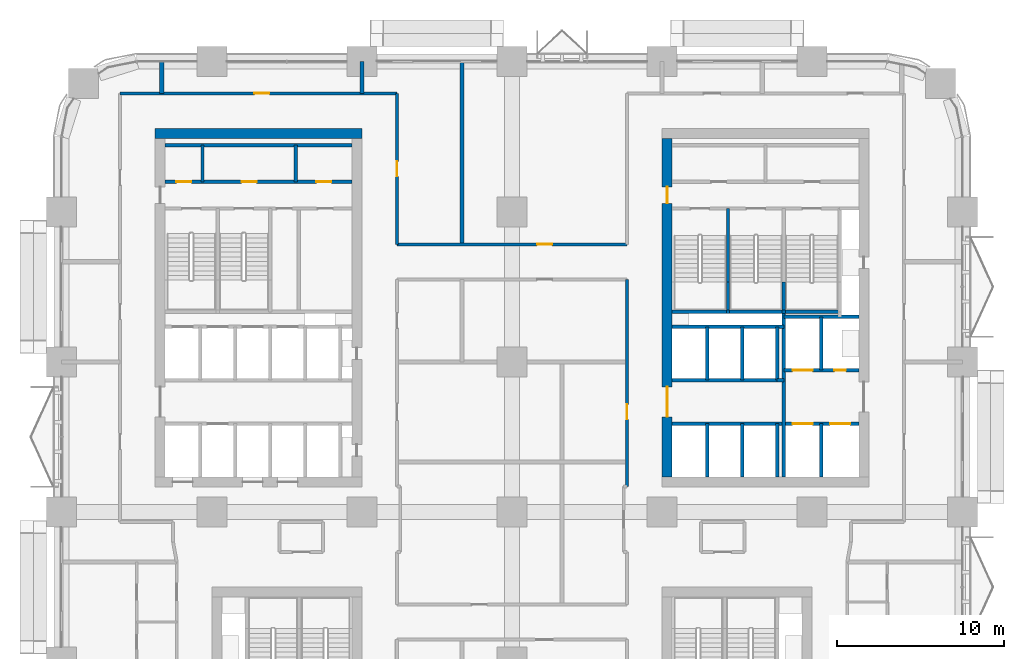
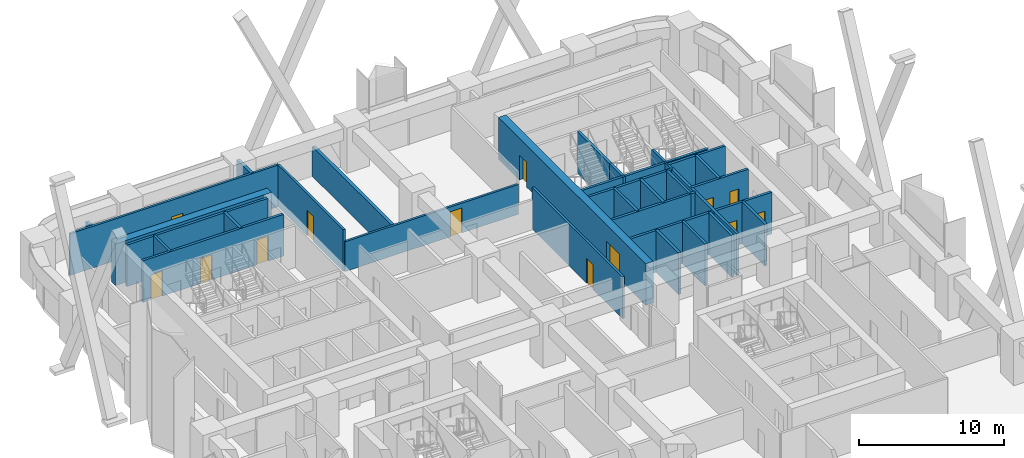
# One storey, part 18 of 23: 36 walls, 13 doors, 13 openings.
"""IFC4 building model written with IfcOpenShell, lengths in metres."""

from ifc_helpers import new_model, si_unit, direction, frame, frame_2d, origin, place, context, subcontext, project, spatial, rectangle, extrude, material, layer, layer_set, type_object, element, fill, save


model = new_model("IFC4")

# Units and contexts
model_context = context("Model", 3, precision=1e-05, world=origin(), true_north=direction((0.0, 1.0)))
body_context = subcontext(model_context, "Body", "Model", "MODEL_VIEW")
ifc_project = project(units=[si_unit("LENGTHUNIT", "METRE"), si_unit("AREAUNIT", "SQUARE_METRE"), si_unit("VOLUMEUNIT", "CUBIC_METRE"), si_unit("PLANEANGLEUNIT", "RADIAN"), si_unit("MASSUNIT", "GRAM", prefix="KILO")], contexts=[model_context])

# Site, building, storey
site_placement = place(None, origin())
site = spatial("IfcSite", under=ifc_project, at=site_placement, CompositionType="ELEMENT")
building_placement = place(site_placement, origin())
building = spatial("IfcBuilding", under=site, at=building_placement, Name="Tessera Arch", CompositionType="ELEMENT")
storey_placement = place(building_placement, frame((0.0, 0.0, 46.199951171875)))
storey = spatial("IfcBuildingStorey", under=building, at=storey_placement, Name="L09", CompositionType="ELEMENT", Elevation=46.199951171875)

# Walls
ifc_material_1 = material(Name="Gypsum board on steel stud", Category="steel")
ifc_layer_1 = layer(ifc_material_1, 0.125)
ifc_layer_set_1 = layer_set([ifc_layer_1], Name="Core partition 125 EI 60")
wall_type_1 = type_object("IfcWallType", Name="Core partition 125 EI 60", PredefinedType="PARTITIONING", material=ifc_layer_set_1)
wall_1_placement = place(storey_placement, frame((42.89990234375, 34.89990234375, 0.0), z_axis=(0.0, 0.0, 1.0), x_axis=(1.0, 0.0, 0.0)))
element("IfcWall", 1, at=wall_1_placement, inside=storey, type_object=wall_type_1, Name="L09 C1 partition wall 19", PredefinedType="PARTITIONING", context=body_context, shape_type="SweptSolid", body=[
    extrude(rectangle(XDim=0.400146484375, YDim=0.199951171875, at=frame_2d((0.2001953125, 0.0))), origin(), (0.0, 0.0, 1.0), 3.5),
])
for number, where, z_axis, x_axis, name in (
    (2, (8.43994140625, 46.800048828125, 0.0), (0.0, 0.0, 1.0), (0.0, 1.0, 0.0), "L09 C2 partition wall 3"),
    (3, (14.0400390625, 46.800048828125, 0.0), (0.0, 0.0, 1.0), (0.0, 1.0, 0.0), "L09 C2 partition wall 12"),
):
    element("IfcWall", number, at=place(storey_placement, frame(where, z_axis=z_axis, x_axis=x_axis)), inside=storey, type_object=wall_type_1, Name=name, PredefinedType="PARTITIONING", context=body_context, shape_type="SweptSolid", body=[
        extrude(rectangle(XDim=2.199951171875, YDim=0.199951171875, at=frame_2d((1.10009765625, 0.0))), origin(), (0.0, 0.0, 1.0), 3.5),
    ])

# Wall, openings, doors
wall_2_placement = place(storey_placement, frame((6.199951171875, 46.800048828125, 0.0), z_axis=(0.0, 0.0, 1.0), x_axis=(1.0, 0.0, 0.0)))
wall_2 = element("IfcWall", 4, at=wall_2_placement, inside=storey, type_object=wall_type_1, Name="L09 C2 partition wall 27", PredefinedType="PARTITIONING", context=body_context, shape_type="SweptSolid", body=[
    extrude(rectangle(XDim=11.199951171875, YDim=0.199951171875, at=frame_2d((5.60009765625, 0.0))), origin(), (0.0, 0.0, 1.0), 3.5),
])
opening_1_placement = place(wall_2_placement, frame((0.669921875, 0.0, 0.0)))
opening_1 = element("IfcOpeningElement", 5, at=opening_1_placement, cuts=wall_2, Name="Opening L09-C28", PredefinedType="OPENING", context=body_context, shape_type="SweptSolid", body=[
    extrude(rectangle(XDim=0.89990234375, YDim=2.10009765625, at=frame_2d((0.449951171875, 1.050048828125))), frame((0.0, 0.10986328125, 0.0), z_axis=(0.0, -1.0, 0.0), x_axis=(1.0, 0.0, 0.0)), (0.0, 0.0, 1.0), 0.219970703125),
])
opening_2_placement = place(wall_2_placement, frame((4.590087890625, 0.0, 0.0)))
opening_2 = element("IfcOpeningElement", 6, at=opening_2_placement, cuts=wall_2, Name="Opening L09-C29", PredefinedType="OPENING", context=body_context, shape_type="SweptSolid", body=[
    extrude(rectangle(XDim=0.89990234375, YDim=2.10009765625, at=frame_2d((0.449951171875, 1.050048828125))), frame((0.0, 0.10986328125, 0.0), z_axis=(0.0, -1.0, 0.0), x_axis=(1.0, 0.0, 0.0)), (0.0, 0.0, 1.0), 0.219970703125),
])
opening_3_placement = place(wall_2_placement, frame((9.070068359375, 0.0, 0.0)))
opening_3 = element("IfcOpeningElement", 7, at=opening_3_placement, cuts=wall_2, Name="Opening L09-C30", PredefinedType="OPENING", context=body_context, shape_type="SweptSolid", body=[
    extrude(rectangle(XDim=0.89990234375, YDim=2.10009765625, at=frame_2d((0.449951171875, 1.050048828125))), frame((0.0, 0.10986328125, 0.0), z_axis=(0.0, -1.0, 0.0), x_axis=(1.0, 0.0, 0.0)), (0.0, 0.0, 1.0), 0.219970703125),
])
ifc_material_2 = material(Name="Steel door leaf", Category="steel")
door_type_1 = type_object("IfcDoorType", Name="Store door FD30S 900 x 2100", OperationType="SINGLE_SWING_LEFT", PredefinedType="DOOR", material=ifc_material_2)
door_1_placement = place(opening_1_placement, origin())
door_1 = element("IfcDoor", 8, at=door_1_placement, inside=storey, type_object=door_type_1, Name="L09 C2 door 15 C28 type D09", OperationType="SINGLE_SWING_LEFT", OverallHeight=2.10009765625, OverallWidth=0.89990234375, PredefinedType="DOOR", context=body_context, shape_type="SweptSolid", body=[
    extrude(rectangle(XDim=0.89990234375, YDim=2.10009765625, at=frame_2d((0.449951171875, 1.050048828125))), frame((0.0, 0.02490234375, 0.0), z_axis=(0.0, -1.0, 0.0), x_axis=(1.0, 0.0, 0.0)), (0.0, 0.0, 1.0), 0.050048828125),
])
fill(opening_1, door_1)
door_2_placement = place(opening_2_placement, origin())
door_2 = element("IfcDoor", 9, at=door_2_placement, inside=storey, type_object=door_type_1, Name="L09 C2 door 16 C29 type D09", OperationType="SINGLE_SWING_LEFT", OverallHeight=2.10009765625, OverallWidth=0.89990234375, PredefinedType="DOOR", context=body_context, shape_type="SweptSolid", body=[
    extrude(rectangle(XDim=0.89990234375, YDim=2.10009765625, at=frame_2d((0.449951171875, 1.050048828125))), frame((0.0, 0.02490234375, 0.0), z_axis=(0.0, -1.0, 0.0), x_axis=(1.0, 0.0, 0.0)), (0.0, 0.0, 1.0), 0.050048828125),
])
fill(opening_2, door_2)
door_3_placement = place(opening_3_placement, origin())
door_3 = element("IfcDoor", 10, at=door_3_placement, inside=storey, type_object=door_type_1, Name="L09 C2 door 17 C30 type D09", OperationType="SINGLE_SWING_RIGHT", OverallHeight=2.10009765625, OverallWidth=0.89990234375, PredefinedType="DOOR", context=body_context, shape_type="SweptSolid", body=[
    extrude(rectangle(XDim=0.89990234375, YDim=2.10009765625, at=frame_2d((0.449951171875, 1.050048828125))), frame((0.0, 0.02490234375, 0.0), z_axis=(0.0, -1.0, 0.0), x_axis=(1.0, 0.0, 0.0)), (0.0, 0.0, 1.0), 0.050048828125),
])
fill(opening_3, door_3)

# Wall
wall_3_placement = place(storey_placement, frame((6.199951171875, 49.0, 0.0), z_axis=(0.0, 0.0, 1.0), x_axis=(1.0, 0.0, 0.0)))
element("IfcWall", 11, at=wall_3_placement, inside=storey, type_object=wall_type_1, Name="L09 C2 partition wall 28", PredefinedType="PARTITIONING", context=body_context, shape_type="SweptSolid", body=[
    extrude(rectangle(XDim=11.199951171875, YDim=0.199951171875, at=frame_2d((5.60009765625, 0.0))), origin(), (0.0, 0.0, 1.0), 3.5),
])

# Wall, openings, doors
ifc_material_3 = material(Name="Concrete C70/85", Category="concrete")
ifc_layer_2 = layer(ifc_material_3, 0.60009765625)
ifc_layer_set_2 = layer_set([ifc_layer_2], Name="Core shell wall 600 C70-85")
wall_type_2 = type_object("IfcWallType", Name="Core shell wall 600 C70-85", PredefinedType="SHEAR", material=ifc_layer_set_2)
wall_4_placement = place(storey_placement, frame((36.300048828125, 29.10009765625, 0.0), z_axis=(0.0, 0.0, 1.0), x_axis=(0.0, 1.0, 0.0)))
wall_4 = element("IfcWall", 12, at=wall_4_placement, inside=storey, type_object=wall_type_2, Name="L09 C1 core wall W", PredefinedType="SHEAR", context=body_context, shape_type="SweptSolid", body=[
    extrude(rectangle(XDim=20.2998046875, YDim=0.60009765625, at=frame_2d((10.14990234375, 0.0))), origin(), (0.0, 0.0, 1.0), 3.5),
])
opening_4_placement = place(wall_4_placement, frame((3.60009765625, 0.0, 0.0)))
opening_4 = element("IfcOpeningElement", 13, at=opening_4_placement, cuts=wall_4, Name="Opening L09-C04", PredefinedType="OPENING", context=body_context, shape_type="SweptSolid", body=[
    extrude(rectangle(XDim=1.800048828125, YDim=2.10009765625, at=frame_2d((0.89990234375, 1.050048828125))), frame((0.0, 0.31005859375, 0.0), z_axis=(0.0, -1.0, 0.0), x_axis=(1.0, 0.0, 0.0)), (0.0, 0.0, 1.0), 0.6201171875),
])
opening_5_placement = place(wall_4_placement, frame((16.39990234375, 0.0, 0.0)))
opening_5 = element("IfcOpeningElement", 14, at=opening_5_placement, cuts=wall_4, Name="Opening L09-C11", PredefinedType="OPENING", context=body_context, shape_type="SweptSolid", body=[
    extrude(rectangle(XDim=1.0, YDim=2.10009765625, at=frame_2d((0.5, 1.050048828125))), frame((0.0, 0.31005859375, 0.0), z_axis=(0.0, -1.0, 0.0), x_axis=(1.0, 0.0, 0.0)), (0.0, 0.0, 1.0), 0.6201171875),
])
ifc_material_4 = material(Name="Steel door leaf", Category="steel")
door_type_2 = type_object("IfcDoorType", Name="Corridor door FD60 1000 x 2100", OperationType="SINGLE_SWING_LEFT", PredefinedType="DOOR", material=ifc_material_4)
door_4_placement = place(opening_5_placement, origin())
door_4 = element("IfcDoor", 15, at=door_4_placement, inside=storey, type_object=door_type_2, Name="L09 C1 door 11 C11 type D12", OperationType="SINGLE_SWING_RIGHT", OverallHeight=2.10009765625, OverallWidth=1.0, PredefinedType="DOOR", context=body_context, shape_type="SweptSolid", body=[
    extrude(rectangle(XDim=1.0, YDim=2.10009765625, at=frame_2d((0.5, 1.050048828125))), frame((0.0, 0.02490234375, 0.0), z_axis=(0.0, -1.0, 0.0), x_axis=(1.0, 0.0, 0.0)), (0.0, 0.0, 1.0), 0.050048828125),
])
fill(opening_5, door_4)
ifc_material_5 = material(Name="Glazed steel door leaf", Category="steel")
door_type_3 = type_object("IfcDoorType", Name="Lobby double door FD30S 1800 x 2100", OperationType="DOUBLE_DOOR_SINGLE_SWING", PredefinedType="DOOR", material=ifc_material_5)
door_5_placement = place(opening_4_placement, origin())
door_5 = element("IfcDoor", 16, at=door_5_placement, inside=storey, type_object=door_type_3, Name="L09 C1 door 4 C04 type D06", OperationType="DOUBLE_DOOR_SINGLE_SWING", OverallHeight=2.10009765625, OverallWidth=1.800048828125, PredefinedType="DOOR", context=body_context, shape_type="SweptSolid", body=[
    extrude(rectangle(XDim=1.800048828125, YDim=2.10009765625, at=frame_2d((0.89990234375, 1.050048828125))), frame((0.0, 0.02490234375, 0.0), z_axis=(0.0, -1.0, 0.0), x_axis=(1.0, 0.0, 0.0)), (0.0, 0.0, 1.0), 0.050048828125),
])
fill(opening_4, door_5)

# Wall
wall_5_placement = place(storey_placement, frame((5.60009765625, 49.699951171875, 0.0), z_axis=(0.0, 0.0, 1.0), x_axis=(1.0, 0.0, 0.0)))
element("IfcWall", 17, at=wall_5_placement, inside=storey, type_object=wall_type_2, Name="L09 C2 core wall N", PredefinedType="SHEAR", context=body_context, shape_type="SweptSolid", body=[
    extrude(rectangle(XDim=12.39990234375, YDim=0.60009765625, at=frame_2d((6.199951171875, 0.0))), origin(), (0.0, 0.0, 1.0), 3.5),
])

# Wall, opening, door
ifc_material_6 = material(Name="Gypsum board on deep steel stud with mineral wool", Category="steel")
ifc_layer_3 = layer(ifc_material_6, 0.175048828125)
ifc_layer_set_3 = layer_set([ifc_layer_3], Name="Corridor wall 175 EI 60")
wall_type_3 = type_object("IfcWallType", Name="Corridor wall 175 EI 60", PredefinedType="PARTITIONING", material=ifc_layer_set_3)
wall_6_placement = place(storey_placement, frame((20.10009765625, 43.050048828125, 0.0), z_axis=(0.0, 0.0, 1.0), x_axis=(1.0, 0.0, 0.0)))
wall_6 = element("IfcWall", 18, at=wall_6_placement, inside=storey, type_object=wall_type_3, Name="L09 partition 16", PredefinedType="PARTITIONING", context=body_context, shape_type="SweptSolid", body=[
    extrude(rectangle(XDim=13.7998046875, YDim=0.175048828125, at=frame_2d((6.89990234375, 0.0))), origin(), (0.0, 0.0, 1.0), 2.5),
])
opening_6_placement = place(wall_6_placement, frame((8.39990234375, 0.0, 0.0)))
opening_6 = element("IfcOpeningElement", 19, at=opening_6_placement, cuts=wall_6, Name="Opening L09-D030", PredefinedType="OPENING", context=body_context, shape_type="SweptSolid", body=[
    extrude(rectangle(XDim=0.89990234375, YDim=2.10009765625, at=frame_2d((0.449951171875, 1.050048828125))), frame((0.0, 0.097412109375, 0.0), z_axis=(0.0, -1.0, 0.0), x_axis=(1.0, 0.0, 0.0)), (0.0, 0.0, 1.0), 0.195068359375),
])
ifc_material_7 = material(Name="Timber door leaf", Category="wood")
door_type_4 = type_object("IfcDoorType", Name="Room door 900 x 2100", OperationType="SINGLE_SWING_LEFT", PredefinedType="DOOR", material=ifc_material_7)
door_6_placement = place(opening_6_placement, origin())
door_6 = element("IfcDoor", 20, at=door_6_placement, inside=storey, type_object=door_type_4, Name="L09 door D030 type D01", OperationType="SINGLE_SWING_RIGHT", OverallHeight=2.10009765625, OverallWidth=0.89990234375, PredefinedType="DOOR", context=body_context, shape_type="SweptSolid", body=[
    extrude(rectangle(XDim=0.89990234375, YDim=2.10009765625, at=frame_2d((0.449951171875, 1.050048828125))), frame((0.0, 0.02490234375, 0.0), z_axis=(0.0, -1.0, 0.0), x_axis=(1.0, 0.0, 0.0)), (0.0, 0.0, 1.0), 0.050048828125),
])
fill(opening_6, door_6)

wall_7_placement = place(storey_placement, frame((3.5, 52.10009765625, 0.0), z_axis=(0.0, 0.0, 1.0), x_axis=(1.0, 0.0, 0.0)))
wall_7 = element("IfcWall", 21, at=wall_7_placement, inside=storey, type_object=wall_type_3, Name="L09 partition 17", PredefinedType="PARTITIONING", context=body_context, shape_type="SweptSolid", body=[
    extrude(rectangle(XDim=16.60009765625, YDim=0.175048828125, at=frame_2d((8.300048828125, 0.0))), origin(), (0.0, 0.0, 1.0), 3.5),
])
opening_7_placement = place(wall_7_placement, frame((8.050048828125, 0.0, 0.0)))
opening_7 = element("IfcOpeningElement", 22, at=opening_7_placement, cuts=wall_7, Name="Opening L09-D032", PredefinedType="OPENING", context=body_context, shape_type="SweptSolid", body=[
    extrude(rectangle(XDim=0.89990234375, YDim=2.10009765625, at=frame_2d((0.449951171875, 1.050048828125))), frame((0.0, 0.097412109375, 0.0), z_axis=(0.0, -1.0, 0.0), x_axis=(1.0, 0.0, 0.0)), (0.0, 0.0, 1.0), 0.195068359375),
])
door_7_placement = place(opening_7_placement, origin())
door_7 = element("IfcDoor", 23, at=door_7_placement, inside=storey, type_object=door_type_4, Name="L09 door D032 type D01", OperationType="SINGLE_SWING_RIGHT", OverallHeight=2.10009765625, OverallWidth=0.89990234375, PredefinedType="DOOR", context=body_context, shape_type="SweptSolid", body=[
    extrude(rectangle(XDim=0.89990234375, YDim=2.10009765625, at=frame_2d((0.449951171875, 1.050048828125))), frame((0.0, 0.02490234375, 0.0), z_axis=(0.0, -1.0, 0.0), x_axis=(1.0, 0.0, 0.0)), (0.0, 0.0, 1.0), 0.050048828125),
])
fill(opening_7, door_7)

wall_8_placement = place(storey_placement, frame((20.10009765625, 43.050048828125, 0.0), z_axis=(0.0, 0.0, 1.0), x_axis=(0.0, 1.0, 0.0)))
wall_8 = element("IfcWall", 24, at=wall_8_placement, inside=storey, type_object=wall_type_3, Name="L09 partition 27", PredefinedType="PARTITIONING", context=body_context, shape_type="SweptSolid", body=[
    extrude(rectangle(XDim=9.050048828125, YDim=0.175048828125, at=frame_2d((4.52490234375, 0.0))), origin(), (0.0, 0.0, 1.0), 3.5),
])
opening_8_placement = place(wall_8_placement, frame((4.074951171875, 0.0, 0.0)))
opening_8 = element("IfcOpeningElement", 25, at=opening_8_placement, cuts=wall_8, Name="Opening L09-D031", PredefinedType="OPENING", context=body_context, shape_type="SweptSolid", body=[
    extrude(rectangle(XDim=0.89990234375, YDim=2.10009765625, at=frame_2d((0.449951171875, 1.050048828125))), frame((0.0, 0.097412109375, 0.0), z_axis=(0.0, -1.0, 0.0), x_axis=(1.0, 0.0, 0.0)), (0.0, 0.0, 1.0), 0.195068359375),
])
door_8_placement = place(opening_8_placement, origin())
door_8 = element("IfcDoor", 26, at=door_8_placement, inside=storey, type_object=door_type_4, Name="L09 door D031 type D01", OperationType="SINGLE_SWING_RIGHT", OverallHeight=2.10009765625, OverallWidth=0.89990234375, PredefinedType="DOOR", context=body_context, shape_type="SweptSolid", body=[
    extrude(rectangle(XDim=0.89990234375, YDim=2.10009765625, at=frame_2d((0.449951171875, 1.050048828125))), frame((0.0, 0.02490234375, 0.0), z_axis=(0.0, -1.0, 0.0), x_axis=(1.0, 0.0, 0.0)), (0.0, 0.0, 1.0), 0.050048828125),
])
fill(opening_8, door_8)

wall_9_placement = place(storey_placement, frame((33.89990234375, 28.52001953125, 0.0), z_axis=(0.0, 0.0, 1.0), x_axis=(0.0, 1.0, 0.0)))
wall_9 = element("IfcWall", 27, at=wall_9_placement, inside=storey, type_object=wall_type_3, Name="L09 partition 32", PredefinedType="PARTITIONING", context=body_context, shape_type="SweptSolid", body=[
    extrude(rectangle(XDim=12.429931640625, YDim=0.175048828125, at=frame_2d((6.21484375, 0.0))), origin(), (0.0, 0.0, 1.0), 3.5),
])
opening_9_placement = place(wall_9_placement, frame((4.030029296875, 0.0, 0.0)))
opening_9 = element("IfcOpeningElement", 28, at=opening_9_placement, cuts=wall_9, Name="Opening L09-D023", PredefinedType="OPENING", context=body_context, shape_type="SweptSolid", body=[
    extrude(rectangle(XDim=0.89990234375, YDim=2.10009765625, at=frame_2d((0.449951171875, 1.050048828125))), frame((0.0, 0.097412109375, 0.0), z_axis=(0.0, -1.0, 0.0), x_axis=(1.0, 0.0, 0.0)), (0.0, 0.0, 1.0), 0.195068359375),
])
door_9_placement = place(opening_9_placement, origin())
door_9 = element("IfcDoor", 29, at=door_9_placement, inside=storey, type_object=door_type_4, Name="L09 door D023 type D01", OperationType="SINGLE_SWING_LEFT", OverallHeight=2.10009765625, OverallWidth=0.89990234375, PredefinedType="DOOR", context=body_context, shape_type="SweptSolid", body=[
    extrude(rectangle(XDim=0.89990234375, YDim=2.10009765625, at=frame_2d((0.449951171875, 1.050048828125))), frame((0.0, 0.02490234375, 0.0), z_axis=(0.0, -1.0, 0.0), x_axis=(1.0, 0.0, 0.0)), (0.0, 0.0, 1.0), 0.050048828125),
])
fill(opening_9, door_9)

# Walls
ifc_material_8 = material(Name="Double gypsum board on twin steel stud with acoustic mineral wool", Category="steel")
ifc_layer_4 = layer(ifc_material_8, 0.25)
ifc_layer_set_4 = layer_set([ifc_layer_4], Name="Party wall 250 EI 60")
wall_type_4 = type_object("IfcWallType", Name="Party wall 250 EI 60", PredefinedType="PARTITIONING", material=ifc_layer_set_4)
wall_10_placement = place(storey_placement, frame((6.0, 52.10009765625, 0.0), z_axis=(0.0, 0.0, 1.0), x_axis=(0.0, 1.0, 0.0)))
element("IfcWall", 30, at=wall_10_placement, inside=storey, type_object=wall_type_4, Name="L09 partition 55", PredefinedType="PARTITIONING", context=body_context, shape_type="SweptSolid", body=[
    extrude(rectangle(XDim=1.89990234375, YDim=0.25, at=frame_2d((0.949951171875, 0.0))), origin(), (0.0, 0.0, 1.0), 2.5),
])
wall_11_placement = place(storey_placement, frame((18.0, 52.10009765625, 0.0), z_axis=(0.0, 0.0, 1.0), x_axis=(0.0, 1.0, 0.0)))
element("IfcWall", 31, at=wall_11_placement, inside=storey, type_object=wall_type_4, Name="L09 partition 57", PredefinedType="PARTITIONING", context=body_context, shape_type="SweptSolid", body=[
    extrude(rectangle(XDim=1.89990234375, YDim=0.25, at=frame_2d((0.949951171875, 0.0))), origin(), (0.0, 0.0, 1.0), 3.5),
])
wall_12_placement = place(storey_placement, frame((24.0, 43.050048828125, 0.0), z_axis=(0.0, 0.0, 1.0), x_axis=(0.0, 1.0, 0.0)))
element("IfcWall", 32, at=wall_12_placement, inside=storey, type_object=wall_type_4, Name="L09 partition 61", PredefinedType="PARTITIONING", context=body_context, shape_type="SweptSolid", body=[
    extrude(rectangle(XDim=10.949951171875, YDim=0.25, at=frame_2d((5.47509765625, 0.0))), origin(), (0.0, 0.0, 1.0), 2.5),
])
ifc_material_9 = material(Name="Concrete C40/50", Category="concrete")
ifc_layer_5 = layer(ifc_material_9, 0.199951171875)
ifc_layer_set_5 = layer_set([ifc_layer_5], Name="Shaft wall 200 EI 120")
wall_type_5 = type_object("IfcWallType", Name="Shaft wall 200 EI 120", PredefinedType="SOLIDWALL", material=ifc_layer_set_5)
wall_13_placement = place(storey_placement, frame((38.699951171875, 29.10009765625, 0.0), z_axis=(0.0, 0.0, 1.0), x_axis=(0.0, 1.0, 0.0)))
element("IfcWall", 33, at=wall_13_placement, inside=storey, type_object=wall_type_5, Name="L09 C1 shaft wall 1", PredefinedType="SOLIDWALL", context=body_context, shape_type="SweptSolid", body=[
    extrude(rectangle(XDim=3.199951171875, YDim=0.199951171875, at=frame_2d((1.60009765625, 0.0))), origin(), (0.0, 0.0, 1.0), 3.5),
])
wall_14_placement = place(storey_placement, frame((38.699951171875, 34.89990234375, 0.0), z_axis=(0.0, 0.0, 1.0), x_axis=(0.0, 1.0, 0.0)))
element("IfcWall", 34, at=wall_14_placement, inside=storey, type_object=wall_type_5, Name="L09 C1 shaft wall 2", PredefinedType="SOLIDWALL", context=body_context, shape_type="SweptSolid", body=[
    extrude(rectangle(XDim=3.2001953125, YDim=0.199951171875, at=frame_2d((1.60009765625, 0.0))), origin(), (0.0, 0.0, 1.0), 3.5),
])
wall_15_placement = place(storey_placement, frame((40.800048828125, 29.10009765625, 0.0), z_axis=(0.0, 0.0, 1.0), x_axis=(0.0, 1.0, 0.0)))
element("IfcWall", 35, at=wall_15_placement, inside=storey, type_object=wall_type_5, Name="L09 C1 shaft wall 5", PredefinedType="SOLIDWALL", context=body_context, shape_type="SweptSolid", body=[
    extrude(rectangle(XDim=3.199951171875, YDim=0.199951171875, at=frame_2d((1.60009765625, 0.0))), origin(), (0.0, 0.0, 1.0), 3.5),
])
wall_16_placement = place(storey_placement, frame((40.800048828125, 34.89990234375, 0.0), z_axis=(0.0, 0.0, 1.0), x_axis=(0.0, 1.0, 0.0)))
element("IfcWall", 36, at=wall_16_placement, inside=storey, type_object=wall_type_5, Name="L09 C1 shaft wall 6", PredefinedType="SOLIDWALL", context=body_context, shape_type="SweptSolid", body=[
    extrude(rectangle(XDim=3.2001953125, YDim=0.199951171875, at=frame_2d((1.60009765625, 0.0))), origin(), (0.0, 0.0, 1.0), 3.5),
])
wall_17_placement = place(storey_placement, frame((42.89990234375, 29.10009765625, 0.0), z_axis=(0.0, 0.0, 1.0), x_axis=(0.0, 1.0, 0.0)))
element("IfcWall", 37, at=wall_17_placement, inside=storey, type_object=wall_type_5, Name="L09 C1 shaft wall 8", PredefinedType="SOLIDWALL", context=body_context, shape_type="SweptSolid", body=[
    extrude(rectangle(XDim=3.199951171875, YDim=0.199951171875, at=frame_2d((1.60009765625, 0.0))), origin(), (0.0, 0.0, 1.0), 3.5),
])
wall_18_placement = place(storey_placement, frame((42.89990234375, 34.89990234375, 0.0), z_axis=(0.0, 0.0, 1.0), x_axis=(0.0, 1.0, 0.0)))
element("IfcWall", 38, at=wall_18_placement, inside=storey, type_object=wall_type_5, Name="L09 C1 shaft wall 9", PredefinedType="SOLIDWALL", context=body_context, shape_type="SweptSolid", body=[
    extrude(rectangle(XDim=3.2001953125, YDim=0.199951171875, at=frame_2d((1.60009765625, 0.0))), origin(), (0.0, 0.0, 1.0), 3.5),
])
wall_19_placement = place(storey_placement, frame((43.300048828125, 29.10009765625, 0.0), z_axis=(0.0, 0.0, 1.0), x_axis=(0.0, 1.0, 0.0)))
element("IfcWall", 39, at=wall_19_placement, inside=storey, type_object=wall_type_5, Name="L09 C1 shaft wall 10", PredefinedType="SOLIDWALL", context=body_context, shape_type="SweptSolid", body=[
    extrude(rectangle(XDim=9.89990234375, YDim=0.199951171875, at=frame_2d((4.949951171875, 0.0))), origin(), (0.0, 0.0, 1.0), 3.5),
])
for number, where, z_axis, x_axis, name in (
    (40, (45.550048828125, 29.10009765625, 0.0), (0.0, 0.0, 1.0), (0.0, 1.0, 0.0), "L09 C1 shaft wall 13"),
    (41, (45.550048828125, 35.5, 0.0), (0.0, 0.0, 1.0), (0.0, 1.0, 0.0), "L09 C1 shaft wall 14"),
):
    element("IfcWall", number, at=place(storey_placement, frame(where, z_axis=z_axis, x_axis=x_axis)), inside=storey, type_object=wall_type_5, Name=name, PredefinedType="SOLIDWALL", context=body_context, shape_type="SweptSolid", body=[
        extrude(rectangle(XDim=3.199951171875, YDim=0.199951171875, at=frame_2d((1.60009765625, 0.0))), origin(), (0.0, 0.0, 1.0), 3.5),
    ])

# Wall, openings, doors
wall_20_placement = place(storey_placement, frame((36.60009765625, 32.300048828125, 0.0), z_axis=(0.0, 0.0, 1.0), x_axis=(1.0, 0.0, 0.0)))
wall_20 = element("IfcWall", 42, at=wall_20_placement, inside=storey, type_object=wall_type_5, Name="L09 C1 shaft wall 18", PredefinedType="SOLIDWALL", context=body_context, shape_type="SweptSolid", body=[
    extrude(rectangle(XDim=11.199951171875, YDim=0.199951171875, at=frame_2d((5.60009765625, 0.0))), origin(), (0.0, 0.0, 1.0), 3.5),
])
opening_10_placement = place(wall_20_placement, frame((7.22509765625, 0.0, 0.0)))
opening_10 = element("IfcOpeningElement", 43, at=opening_10_placement, cuts=wall_20, Name="Opening L09-C01", PredefinedType="OPENING", context=body_context, shape_type="SweptSolid", body=[
    extrude(rectangle(XDim=1.199951171875, YDim=2.10009765625, at=frame_2d((0.60009765625, 1.050048828125))), frame((0.0, 0.10986328125, 0.0), z_axis=(0.0, -1.0, 0.0), x_axis=(1.0, 0.0, 0.0)), (0.0, 0.0, 1.0), 0.219970703125),
])
opening_11_placement = place(wall_20_placement, frame((9.47509765625, 0.0, 0.0)))
opening_11 = element("IfcOpeningElement", 44, at=opening_11_placement, cuts=wall_20, Name="Opening L09-C02", PredefinedType="OPENING", context=body_context, shape_type="SweptSolid", body=[
    extrude(rectangle(XDim=1.199951171875, YDim=2.10009765625, at=frame_2d((0.60009765625, 1.050048828125))), frame((0.0, 0.10986328125, 0.0), z_axis=(0.0, -1.0, 0.0), x_axis=(1.0, 0.0, 0.0)), (0.0, 0.0, 1.0), 0.219970703125),
])
ifc_material_10 = material(Name="Stainless steel AISI 304", Category="steel")
door_type_5 = type_object("IfcDoorType", Name="Sliding landing door 1200 x 2100", OperationType="SLIDING_TO_LEFT", PredefinedType="DOOR", material=ifc_material_10)
door_10_placement = place(opening_10_placement, origin())
door_10 = element("IfcDoor", 45, at=door_10_placement, inside=storey, type_object=door_type_5, Name="L09 FF1 lift landing door C01 type LD", OperationType="SLIDING_TO_LEFT", OverallHeight=2.10009765625, OverallWidth=1.199951171875, PredefinedType="DOOR", context=body_context, shape_type="SweptSolid", body=[
    extrude(rectangle(XDim=1.199951171875, YDim=2.10009765625, at=frame_2d((0.60009765625, 1.050048828125))), frame((0.0, 0.02490234375, 0.0), z_axis=(0.0, -1.0, 0.0), x_axis=(1.0, 0.0, 0.0)), (0.0, 0.0, 1.0), 0.050048828125),
])
fill(opening_10, door_10)
door_11_placement = place(opening_11_placement, origin())
door_11 = element("IfcDoor", 46, at=door_11_placement, inside=storey, type_object=door_type_5, Name="L09 FF2 lift landing door C02 type LD", OperationType="SLIDING_TO_LEFT", OverallHeight=2.10009765625, OverallWidth=1.199951171875, PredefinedType="DOOR", context=body_context, shape_type="SweptSolid", body=[
    extrude(rectangle(XDim=1.199951171875, YDim=2.10009765625, at=frame_2d((0.60009765625, 1.050048828125))), frame((0.0, 0.02490234375, 0.0), z_axis=(0.0, -1.0, 0.0), x_axis=(1.0, 0.0, 0.0)), (0.0, 0.0, 1.0), 0.050048828125),
])
fill(opening_11, door_11)

# Wall
wall_21_placement = place(storey_placement, frame((36.60009765625, 34.89990234375, 0.0), z_axis=(0.0, 0.0, 1.0), x_axis=(1.0, 0.0, 0.0)))
element("IfcWall", 47, at=wall_21_placement, inside=storey, type_object=wall_type_5, Name="L09 C1 shaft wall 20", PredefinedType="SOLIDWALL", context=body_context, shape_type="SweptSolid", body=[
    extrude(rectangle(XDim=6.2998046875, YDim=0.199951171875, at=frame_2d((3.14990234375, 0.0))), origin(), (0.0, 0.0, 1.0), 3.5),
])

# Wall, openings, doors
wall_22_placement = place(storey_placement, frame((43.300048828125, 35.5, 0.0), z_axis=(0.0, 0.0, 1.0), x_axis=(1.0, 0.0, 0.0)))
wall_22 = element("IfcWall", 48, at=wall_22_placement, inside=storey, type_object=wall_type_5, Name="L09 C1 shaft wall 21", PredefinedType="SOLIDWALL", context=body_context, shape_type="SweptSolid", body=[
    extrude(rectangle(XDim=4.5, YDim=0.199951171875, at=frame_2d((2.25, 0.0))), origin(), (0.0, 0.0, 1.0), 3.5),
])
opening_12_placement = place(wall_22_placement, frame((0.52490234375, 0.0, 0.0)))
opening_12 = element("IfcOpeningElement", 49, at=opening_12_placement, cuts=wall_22, Name="Opening L09-C03", PredefinedType="OPENING", context=body_context, shape_type="SweptSolid", body=[
    extrude(rectangle(XDim=1.199951171875, YDim=2.10009765625, at=frame_2d((0.60009765625, 1.050048828125))), frame((0.0, 0.10986328125, 0.0), z_axis=(0.0, -1.0, 0.0), x_axis=(1.0, 0.0, 0.0)), (0.0, 0.0, 1.0), 0.219970703125),
])
opening_13_placement = place(wall_22_placement, frame((3.02490234375, 0.0, 0.0)))
opening_13 = element("IfcOpeningElement", 50, at=opening_13_placement, cuts=wall_22, Name="Opening L09-C10", PredefinedType="OPENING", context=body_context, shape_type="SweptSolid", body=[
    extrude(rectangle(XDim=0.699951171875, YDim=2.10009765625, at=frame_2d((0.35009765625, 1.050048828125))), frame((0.0, 0.10986328125, 0.0), z_axis=(0.0, -1.0, 0.0), x_axis=(1.0, 0.0, 0.0)), (0.0, 0.0, 1.0), 0.219970703125),
])
ifc_material_11 = material(Name="Steel door leaf", Category="steel")
door_type_6 = type_object("IfcDoorType", Name="Service shaft door FD60 700 x 2100", OperationType="SINGLE_SWING_LEFT", PredefinedType="DOOR", material=ifc_material_11)
door_12_placement = place(opening_13_placement, origin())
door_12 = element("IfcDoor", 51, at=door_12_placement, inside=storey, type_object=door_type_6, Name="L09 C1 door 10 C10 type D07", OperationType="SINGLE_SWING_RIGHT", OverallHeight=2.10009765625, OverallWidth=0.699951171875, PredefinedType="DOOR", context=body_context, shape_type="SweptSolid", body=[
    extrude(rectangle(XDim=0.699951171875, YDim=2.10009765625, at=frame_2d((0.35009765625, 1.050048828125))), frame((0.0, 0.02490234375, 0.0), z_axis=(0.0, -1.0, 0.0), x_axis=(1.0, 0.0, 0.0)), (0.0, 0.0, 1.0), 0.050048828125),
])
fill(opening_13, door_12)
door_13_placement = place(opening_12_placement, origin())
door_13 = element("IfcDoor", 52, at=door_13_placement, inside=storey, type_object=door_type_5, Name="L09 SV2 lift landing door C03 type LD", OperationType="SLIDING_TO_LEFT", OverallHeight=2.10009765625, OverallWidth=1.199951171875, PredefinedType="DOOR", context=body_context, shape_type="SweptSolid", body=[
    extrude(rectangle(XDim=1.199951171875, YDim=2.10009765625, at=frame_2d((0.60009765625, 1.050048828125))), frame((0.0, 0.02490234375, 0.0), z_axis=(0.0, -1.0, 0.0), x_axis=(1.0, 0.0, 0.0)), (0.0, 0.0, 1.0), 0.050048828125),
])
fill(opening_12, door_13)

# Walls
wall_23_placement = place(storey_placement, frame((36.60009765625, 38.10009765625, 0.0), z_axis=(0.0, 0.0, 1.0), x_axis=(1.0, 0.0, 0.0)))
element("IfcWall", 53, at=wall_23_placement, inside=storey, type_object=wall_type_5, Name="L09 C1 shaft wall 22", PredefinedType="SOLIDWALL", context=body_context, shape_type="SweptSolid", body=[
    extrude(rectangle(XDim=6.699951171875, YDim=0.199951171875, at=frame_2d((3.35009765625, 0.0))), origin(), (0.0, 0.0, 1.0), 3.5),
])
wall_24_placement = place(storey_placement, frame((43.300048828125, 38.699951171875, 0.0), z_axis=(0.0, 0.0, 1.0), x_axis=(1.0, 0.0, 0.0)))
element("IfcWall", 54, at=wall_24_placement, inside=storey, type_object=wall_type_5, Name="L09 C1 shaft wall 23", PredefinedType="SOLIDWALL", context=body_context, shape_type="SweptSolid", body=[
    extrude(rectangle(XDim=4.5, YDim=0.199951171875, at=frame_2d((2.25, 0.0))), origin(), (0.0, 0.0, 1.0), 3.5),
])
ifc_material_12 = material(Name="Concrete C40/50", Category="concrete")
ifc_layer_6 = layer(ifc_material_12, 0.199951171875)
ifc_layer_set_6 = layer_set([ifc_layer_6], Name="Stair well wall 200 REI 180")
wall_type_6 = type_object("IfcWallType", Name="Stair well wall 200 REI 180", PredefinedType="SOLIDWALL", material=ifc_layer_set_6)
wall_25_placement = place(storey_placement, frame((39.949951171875, 39.0, 0.0), z_axis=(0.0, 0.0, 1.0), x_axis=(0.0, 1.0, 0.0)))
element("IfcWall", 55, at=wall_25_placement, inside=storey, type_object=wall_type_6, Name="L09 C1 shaft wall 3", PredefinedType="SOLIDWALL", context=body_context, shape_type="SweptSolid", body=[
    extrude(rectangle(XDim=1.780029296875, YDim=0.199951171875, at=frame_2d((0.89013671875, 0.0))), origin(), (0.0, 0.0, 1.0), 3.5),
])
wall_26_placement = place(storey_placement, frame((39.949951171875, 40.780029296875, 0.0), z_axis=(0.0, 0.0, 1.0), x_axis=(0.0, 1.0, 0.0)))
element("IfcWall", 56, at=wall_26_placement, inside=storey, type_object=wall_type_6, Name="L09 C1 shaft wall 4", PredefinedType="SOLIDWALL", context=body_context, shape_type="SweptSolid", body=[
    extrude(rectangle(XDim=4.419921875, YDim=0.199951171875, at=frame_2d((2.2099609375, 0.0))), origin(), (0.0, 0.0, 1.0), 3.5),
])
wall_27_placement = place(storey_placement, frame((43.300048828125, 39.0, 0.0), z_axis=(0.0, 0.0, 1.0), x_axis=(0.0, 1.0, 0.0)))
element("IfcWall", 57, at=wall_27_placement, inside=storey, type_object=wall_type_6, Name="L09 C1 shaft wall 11", PredefinedType="SOLIDWALL", context=body_context, shape_type="SweptSolid", body=[
    extrude(rectangle(XDim=1.780029296875, YDim=0.199951171875, at=frame_2d((0.89013671875, 0.0))), origin(), (0.0, 0.0, 1.0), 3.5),
])
wall_28_placement = place(storey_placement, frame((36.60009765625, 39.0, 0.0), z_axis=(0.0, 0.0, 1.0), x_axis=(1.0, 0.0, 0.0)))
element("IfcWall", 58, at=wall_28_placement, inside=storey, type_object=wall_type_6, Name="L09 C1 shaft wall 24", PredefinedType="SOLIDWALL", context=body_context, shape_type="SweptSolid", body=[
    extrude(rectangle(XDim=3.25, YDim=0.199951171875, at=frame_2d((1.625, 0.0))), origin(), (0.0, 0.0, 1.0), 3.5),
])
wall_29_placement = place(storey_placement, frame((39.85009765625, 39.0, 0.0), z_axis=(0.0, 0.0, 1.0), x_axis=(1.0, 0.0, 0.0)))
element("IfcWall", 59, at=wall_29_placement, inside=storey, type_object=wall_type_6, Name="L09 C1 shaft wall 25", PredefinedType="SOLIDWALL", context=body_context, shape_type="SweptSolid", body=[
    extrude(rectangle(XDim=0.199951171875, YDim=0.199951171875, at=frame_2d((0.10009765625, 0.0))), origin(), (0.0, 0.0, 1.0), 3.5),
])
wall_30_placement = place(storey_placement, frame((40.050048828125, 39.0, 0.0), z_axis=(0.0, 0.0, 1.0), x_axis=(1.0, 0.0, 0.0)))
element("IfcWall", 60, at=wall_30_placement, inside=storey, type_object=wall_type_6, Name="L09 C1 shaft wall 26", PredefinedType="SOLIDWALL", context=body_context, shape_type="SweptSolid", body=[
    extrude(rectangle(XDim=3.14990234375, YDim=0.199951171875, at=frame_2d((1.574951171875, 0.0))), origin(), (0.0, 0.0, 1.0), 3.5),
])
wall_31_placement = place(storey_placement, frame((43.199951171875, 39.0, 0.0), z_axis=(0.0, 0.0, 1.0), x_axis=(1.0, 0.0, 0.0)))
element("IfcWall", 61, at=wall_31_placement, inside=storey, type_object=wall_type_6, Name="L09 C1 shaft wall 27", PredefinedType="SOLIDWALL", context=body_context, shape_type="SweptSolid", body=[
    extrude(rectangle(XDim=0.199951171875, YDim=0.199951171875, at=frame_2d((0.10009765625, 0.0))), origin(), (0.0, 0.0, 1.0), 3.5),
])
wall_32_placement = place(storey_placement, frame((43.39990234375, 39.0, 0.0), z_axis=(0.0, 0.0, 1.0), x_axis=(1.0, 0.0, 0.0)))
element("IfcWall", 62, at=wall_32_placement, inside=storey, type_object=wall_type_6, Name="L09 C1 shaft wall 28", PredefinedType="SOLIDWALL", context=body_context, shape_type="SweptSolid", body=[
    extrude(rectangle(XDim=3.25, YDim=0.199951171875, at=frame_2d((1.625, 0.0))), origin(), (0.0, 0.0, 1.0), 3.5),
])

save(model, "model.ifc")
